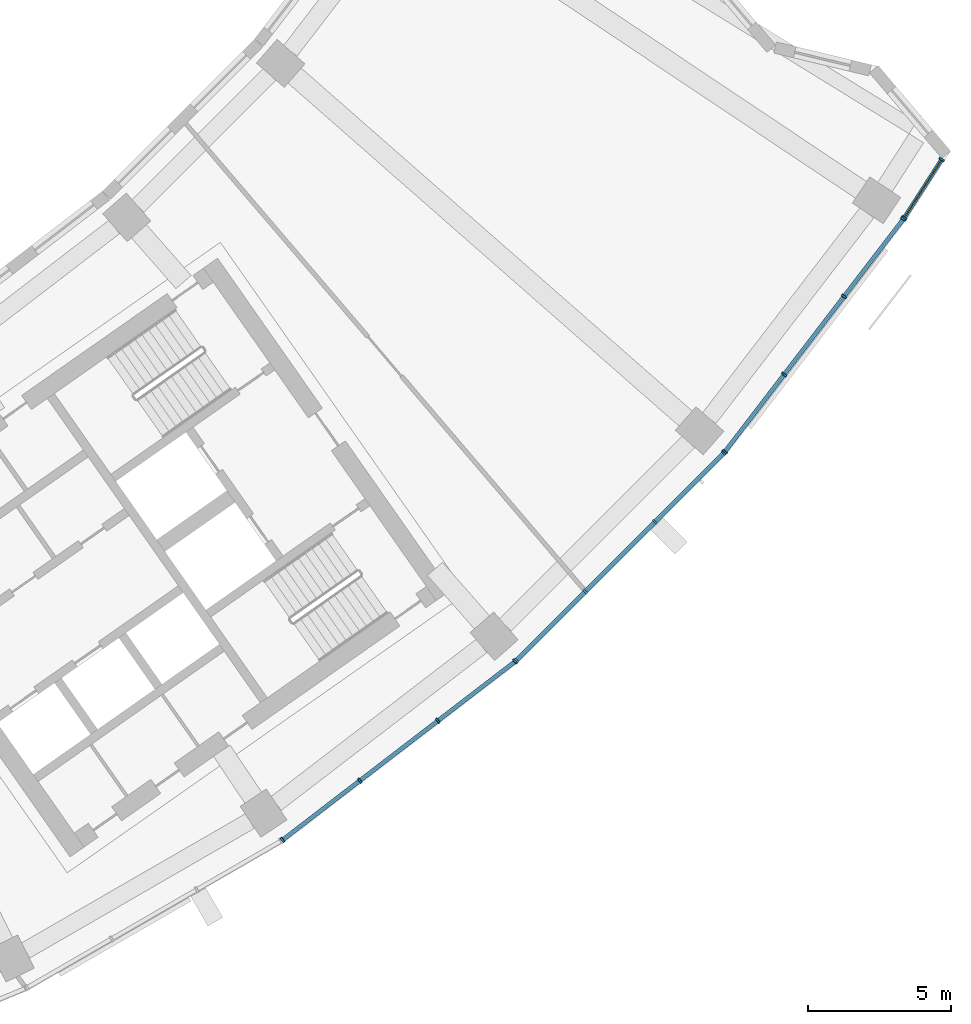
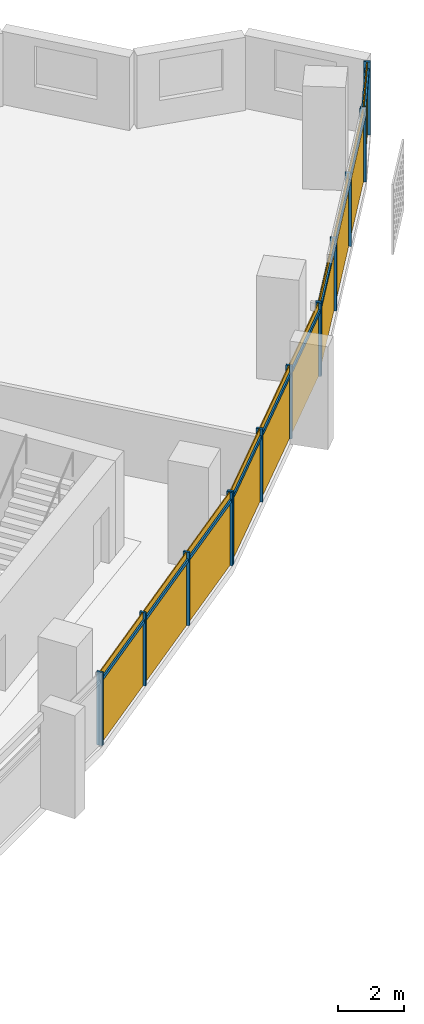
# One storey, part 21 of 27: 24 members, 4 curtain walls.
"""IFC4 building model written with IfcOpenShell, lengths in metres."""

from ifc_helpers import new_model, si_unit, direction, frame, origin, origin_2d, place, context, subcontext, project, spatial, rectangle, extrude, material, material_profile, profile_set, type_object, element, aggregate, save


model = new_model("IFC4")

# Units and contexts
model_context = context("Model", 3, precision=1e-05, world=origin(), true_north=direction((0.0, 1.0)))
body_context = subcontext(model_context, "Body", "Model", "MODEL_VIEW")
ifc_project = project(units=[si_unit("LENGTHUNIT", "METRE"), si_unit("AREAUNIT", "SQUARE_METRE"), si_unit("VOLUMEUNIT", "CUBIC_METRE"), si_unit("PLANEANGLEUNIT", "RADIAN"), si_unit("MASSUNIT", "GRAM", prefix="KILO")], contexts=[model_context])

# Member
ifc_material = material(Name="Aluminium 6063-T6 anodised", Category="aluminium")
ifc_material_profile_1 = material_profile(ifc_material, rectangle(XDim=0.199951171875, YDim=0.070068359375, at=origin_2d()))
ifc_profile_set_1 = profile_set([ifc_material_profile_1], Name="Aluminium 6063-T6 anodised")
member_type_1 = type_object("IfcMemberType", Name="Mullion 70 x 200 aluminium", PredefinedType="MULLION", material=ifc_profile_set_1)
site_placement = place(None, origin())
building_placement = place(site_placement, origin())
storey_placement = place(building_placement, frame((0.0, 0.0, 175.89990234375)))
member_1_placement = place(storey_placement, frame((43.85693359375, -65.58544921875, 0.0), z_axis=(0.0, 0.0, 1.0), x_axis=(-0.608761429009, 0.793353340291, 0.0)))
member_1 = element("IfcMember", 1, at=member_1_placement, type_object=member_type_1, Name="e-cw1-L41-out12/M00", PredefinedType="MULLION", context=body_context, shape_type="SweptSolid", body=[
    extrude(rectangle(XDim=0.199951171875, YDim=0.070068359375, at=origin_2d()), origin(), (0.0, 0.0, 1.0), 2.7001953125),
])

member_2_placement = place(storey_placement, frame((46.56201171875, -63.509765625, 0.0), z_axis=(0.0, 0.0, 1.0), x_axis=(-0.608761429009, 0.793353340291, 0.0)))
member_2 = element("IfcMember", 2, at=member_2_placement, type_object=member_type_1, Name="e-cw1-L41-out12/M01", PredefinedType="MULLION", context=body_context, shape_type="SweptSolid", body=[
    extrude(rectangle(XDim=0.199951171875, YDim=0.070068359375, at=origin_2d()), origin(), (0.0, 0.0, 1.0), 2.7001953125),
])

member_3_placement = place(storey_placement, frame((49.294677734375, -61.412841796875, 0.0), z_axis=(0.0, 0.0, 1.0), x_axis=(-0.608761429009, 0.793353340291, 0.0)))
member_3 = element("IfcMember", 3, at=member_3_placement, type_object=member_type_1, Name="e-cw1-L41-out12/M02", PredefinedType="MULLION", context=body_context, shape_type="SweptSolid", body=[
    extrude(rectangle(XDim=0.199951171875, YDim=0.070068359375, at=origin_2d()), origin(), (0.0, 0.0, 1.0), 2.7001953125),
])

member_4_placement = place(storey_placement, frame((51.999755859375, -59.33740234375, 0.0), z_axis=(0.0, 0.0, 1.0), x_axis=(-0.608761429009, 0.793353340291, 0.0)))
member_4 = element("IfcMember", 4, at=member_4_placement, type_object=member_type_1, Name="e-cw1-L41-out12/M03", PredefinedType="MULLION", context=body_context, shape_type="SweptSolid", body=[
    extrude(rectangle(XDim=0.199951171875, YDim=0.070068359375, at=origin_2d()), origin(), (0.0, 0.0, 1.0), 2.7001953125),
])

member_5_placement = place(storey_placement, frame((52.042236328125, -59.2998046875, 0.0), z_axis=(0.0, 0.0, 1.0), x_axis=(-0.707106781187, 0.707106781187, 0.0)))
member_5 = element("IfcMember", 5, at=member_5_placement, type_object=member_type_1, Name="e-cw1-L41-out13/M00", PredefinedType="MULLION", context=body_context, shape_type="SweptSolid", body=[
    extrude(rectangle(XDim=0.199951171875, YDim=0.070068359375, at=origin_2d()), origin(), (0.0, 0.0, 1.0), 2.7001953125),
])

member_6_placement = place(storey_placement, frame((54.453369140625, -56.888916015625, 0.0), z_axis=(0.0, 0.0, 1.0), x_axis=(-0.707106781187, 0.707106781187, 0.0)))
member_6 = element("IfcMember", 6, at=member_6_placement, type_object=member_type_1, Name="e-cw1-L41-out13/M01", PredefinedType="MULLION", context=body_context, shape_type="SweptSolid", body=[
    extrude(rectangle(XDim=0.199951171875, YDim=0.070068359375, at=origin_2d()), origin(), (0.0, 0.0, 1.0), 2.7001953125),
])

member_7_placement = place(storey_placement, frame((56.888916015625, -54.453369140625, 0.0), z_axis=(0.0, 0.0, 1.0), x_axis=(-0.707106781187, 0.707106781187, 0.0)))
member_7 = element("IfcMember", 7, at=member_7_placement, type_object=member_type_1, Name="e-cw1-L41-out13/M02", PredefinedType="MULLION", context=body_context, shape_type="SweptSolid", body=[
    extrude(rectangle(XDim=0.199951171875, YDim=0.070068359375, at=origin_2d()), origin(), (0.0, 0.0, 1.0), 2.7001953125),
])

member_8_placement = place(storey_placement, frame((59.2998046875, -52.042236328125, 0.0), z_axis=(0.0, 0.0, 1.0), x_axis=(-0.707106781187, 0.707106781187, 0.0)))
member_8 = element("IfcMember", 8, at=member_8_placement, type_object=member_type_1, Name="e-cw1-L41-out13/M03", PredefinedType="MULLION", context=body_context, shape_type="SweptSolid", body=[
    extrude(rectangle(XDim=0.199951171875, YDim=0.070068359375, at=origin_2d()), origin(), (0.0, 0.0, 1.0), 2.7001953125),
])

member_9_placement = place(storey_placement, frame((59.33740234375, -51.999755859375, 0.0), z_axis=(0.0, 0.0, 1.0), x_axis=(-0.793353340291, 0.608761429009, 0.0)))
member_9 = element("IfcMember", 9, at=member_9_placement, type_object=member_type_1, Name="e-cw1-L41-out14/M00", PredefinedType="MULLION", context=body_context, shape_type="SweptSolid", body=[
    extrude(rectangle(XDim=0.199951171875, YDim=0.070068359375, at=origin_2d()), origin(), (0.0, 0.0, 1.0), 2.7001953125),
])

member_10_placement = place(storey_placement, frame((61.412841796875, -49.294677734375, 0.0), z_axis=(0.0, 0.0, 1.0), x_axis=(-0.793353340291, 0.608761429009, 0.0)))
member_10 = element("IfcMember", 10, at=member_10_placement, type_object=member_type_1, Name="e-cw1-L41-out14/M01", PredefinedType="MULLION", context=body_context, shape_type="SweptSolid", body=[
    extrude(rectangle(XDim=0.199951171875, YDim=0.070068359375, at=origin_2d()), origin(), (0.0, 0.0, 1.0), 2.7001953125),
])

member_11_placement = place(storey_placement, frame((63.509765625, -46.56201171875, 0.0), z_axis=(0.0, 0.0, 1.0), x_axis=(-0.793353340291, 0.608761429009, 0.0)))
member_11 = element("IfcMember", 11, at=member_11_placement, type_object=member_type_1, Name="e-cw1-L41-out14/M02", PredefinedType="MULLION", context=body_context, shape_type="SweptSolid", body=[
    extrude(rectangle(XDim=0.199951171875, YDim=0.070068359375, at=origin_2d()), origin(), (0.0, 0.0, 1.0), 2.7001953125),
])

member_12_placement = place(storey_placement, frame((65.58544921875, -43.85693359375, 0.0), z_axis=(0.0, 0.0, 1.0), x_axis=(-0.793353340291, 0.608761429009, 0.0)))
member_12 = element("IfcMember", 12, at=member_12_placement, type_object=member_type_1, Name="e-cw1-L41-out14/M03", PredefinedType="MULLION", context=body_context, shape_type="SweptSolid", body=[
    extrude(rectangle(XDim=0.199951171875, YDim=0.070068359375, at=origin_2d()), origin(), (0.0, 0.0, 1.0), 2.7001953125),
])

member_13_placement = place(storey_placement, frame((65.620849609375, -43.806640625, 0.0), z_axis=(0.0, 0.0, 1.0), x_axis=(-0.841438709964, 0.540352567658, 0.0)))
member_13 = element("IfcMember", 13, at=member_13_placement, type_object=member_type_1, Name="e-cw1-L41-out15/M00", PredefinedType="MULLION", context=body_context, shape_type="SweptSolid", body=[
    extrude(rectangle(XDim=0.199951171875, YDim=0.070068359375, at=origin_2d()), origin(), (0.0, 0.0, 1.0), 2.7001953125),
])

member_14_placement = place(storey_placement, frame((66.92822265625, -41.77099609375, 0.0), z_axis=(0.0, 0.0, 1.0), x_axis=(-0.841438709964, 0.540352567658, 0.0)))
member_14 = element("IfcMember", 14, at=member_14_placement, type_object=member_type_1, Name="e-cw1-L41-out15/M01", PredefinedType="MULLION", context=body_context, shape_type="SweptSolid", body=[
    extrude(rectangle(XDim=0.199951171875, YDim=0.070068359375, at=origin_2d()), origin(), (0.0, 0.0, 1.0), 2.7001953125),
])

ifc_material_profile_2 = material_profile(ifc_material, rectangle(XDim=0.139892578125, YDim=0.1201171875, at=origin_2d()))
ifc_profile_set_2 = profile_set([ifc_material_profile_2], Name="Aluminium 6063-T6 anodised")
member_type_2 = type_object("IfcMemberType", Name="Transom 120 x 140 aluminium", PredefinedType="USERDEFINED", material=ifc_profile_set_2)
member_15_placement = place(storey_placement, frame((43.884765625, -65.564208984375, 2.400146484375), z_axis=(0.793354486861, 0.608759934767, 0.0), x_axis=(-0.608759934767, 0.793354486861, 0.0)))
member_15 = element("IfcMember", 15, at=member_15_placement, type_object=member_type_2, Name="e-cw1-L41-out12/T00", ObjectType="TRANSOM", PredefinedType="USERDEFINED", context=body_context, shape_type="SweptSolid", body=[
    extrude(rectangle(XDim=0.139892578125, YDim=0.1201171875, at=origin_2d()), origin(), (0.0, 0.0, 1.0), 3.339599609375),
])

member_16_placement = place(storey_placement, frame((46.589599609375, -63.488525390625, 2.400146484375), z_axis=(0.793371081522, 0.608738307489, 0.0), x_axis=(-0.608738307489, 0.793371081522, 0.0)))
member_16 = element("IfcMember", 16, at=member_16_placement, type_object=member_type_2, Name="e-cw1-L41-out12/T01", ObjectType="TRANSOM", PredefinedType="USERDEFINED", context=body_context, shape_type="SweptSolid", body=[
    extrude(rectangle(XDim=0.139892578125, YDim=0.1201171875, at=origin_2d()), origin(), (0.0, 0.0, 1.0), 3.37451171875),
])

member_17_placement = place(storey_placement, frame((49.322509765625, -61.3916015625, 2.400146484375), z_axis=(0.793354486861, 0.608759934767, 0.0), x_axis=(-0.608759934767, 0.793354486861, 0.0)))
member_17 = element("IfcMember", 17, at=member_17_placement, type_object=member_type_2, Name="e-cw1-L41-out12/T02", ObjectType="TRANSOM", PredefinedType="USERDEFINED", context=body_context, shape_type="SweptSolid", body=[
    extrude(rectangle(XDim=0.139892578125, YDim=0.1201171875, at=origin_2d()), origin(), (0.0, 0.0, 1.0), 3.339599609375),
])

member_18_placement = place(storey_placement, frame((52.067138671875, -59.275146484375, 2.400146484375), z_axis=(0.707106781187, 0.707106781187, 0.0), x_axis=(-0.707106781187, 0.707106781187, 0.0)))
member_18 = element("IfcMember", 18, at=member_18_placement, type_object=member_type_2, Name="e-cw1-L41-out13/T00", ObjectType="TRANSOM", PredefinedType="USERDEFINED", context=body_context, shape_type="SweptSolid", body=[
    extrude(rectangle(XDim=0.139892578125, YDim=0.1201171875, at=origin_2d()), origin(), (0.0, 0.0, 1.0), 3.33935546875),
])

member_19_placement = place(storey_placement, frame((54.47802734375, -56.8642578125, 2.400146484375), z_axis=(0.707106781187, 0.707106781187, 0.0), x_axis=(-0.707106781187, 0.707106781187, 0.0)))
member_19 = element("IfcMember", 19, at=member_19_placement, type_object=member_type_2, Name="e-cw1-L41-out13/T01", ObjectType="TRANSOM", PredefinedType="USERDEFINED", context=body_context, shape_type="SweptSolid", body=[
    extrude(rectangle(XDim=0.139892578125, YDim=0.1201171875, at=origin_2d()), origin(), (0.0, 0.0, 1.0), 3.374755859375),
])

member_20_placement = place(storey_placement, frame((56.913818359375, -54.428466796875, 2.400146484375), z_axis=(0.707106781187, 0.707106781187, 0.0), x_axis=(-0.707106781187, 0.707106781187, 0.0)))
member_20 = element("IfcMember", 20, at=member_20_placement, type_object=member_type_2, Name="e-cw1-L41-out13/T02", ObjectType="TRANSOM", PredefinedType="USERDEFINED", context=body_context, shape_type="SweptSolid", body=[
    extrude(rectangle(XDim=0.139892578125, YDim=0.1201171875, at=origin_2d()), origin(), (0.0, 0.0, 1.0), 3.33935546875),
])

member_21_placement = place(storey_placement, frame((59.358642578125, -51.971923828125, 2.400146484375), z_axis=(0.608759934767, 0.793354486861, 0.0), x_axis=(-0.793354486861, 0.608759934767, 0.0)))
member_21 = element("IfcMember", 21, at=member_21_placement, type_object=member_type_2, Name="e-cw1-L41-out14/T00", ObjectType="TRANSOM", PredefinedType="USERDEFINED", context=body_context, shape_type="SweptSolid", body=[
    extrude(rectangle(XDim=0.139892578125, YDim=0.1201171875, at=origin_2d()), origin(), (0.0, 0.0, 1.0), 3.339599609375),
])

member_22_placement = place(storey_placement, frame((61.434326171875, -49.266845703125, 2.400146484375), z_axis=(0.608738307489, 0.793371081522, 0.0), x_axis=(-0.793371081522, 0.608738307489, 0.0)))
member_22 = element("IfcMember", 22, at=member_22_placement, type_object=member_type_2, Name="e-cw1-L41-out14/T01", ObjectType="TRANSOM", PredefinedType="USERDEFINED", context=body_context, shape_type="SweptSolid", body=[
    extrude(rectangle(XDim=0.139892578125, YDim=0.1201171875, at=origin_2d()), origin(), (0.0, 0.0, 1.0), 3.37451171875),
])

member_23_placement = place(storey_placement, frame((63.53125, -46.5341796875, 2.400146484375), z_axis=(0.608759934767, 0.793354486861, 0.0), x_axis=(-0.793354486861, 0.608759934767, 0.0)))
member_23 = element("IfcMember", 23, at=member_23_placement, type_object=member_type_2, Name="e-cw1-L41-out14/T02", ObjectType="TRANSOM", PredefinedType="USERDEFINED", context=body_context, shape_type="SweptSolid", body=[
    extrude(rectangle(XDim=0.139892578125, YDim=0.1201171875, at=origin_2d()), origin(), (0.0, 0.0, 1.0), 3.339599609375),
])

member_24_placement = place(storey_placement, frame((65.639892578125, -43.777099609375, 2.400146484375), z_axis=(0.540300546341, 0.841472114585, 0.0), x_axis=(-0.841472114585, 0.540300546341, 0.0)))
member_24 = element("IfcMember", 24, at=member_24_placement, type_object=member_type_2, Name="e-cw1-L41-out15/T00", ObjectType="TRANSOM", PredefinedType="USERDEFINED", context=body_context, shape_type="SweptSolid", body=[
    extrude(rectangle(XDim=0.139892578125, YDim=0.1201171875, at=origin_2d()), origin(), (0.0, 0.0, 1.0), 2.34912109375),
])

# Site, building, storey
site = spatial("IfcSite", under=ifc_project, at=site_placement, CompositionType="ELEMENT")
building = spatial("IfcBuilding", under=site, at=building_placement, Name="Qamariyya Broadcast Tower", CompositionType="ELEMENT")
storey = spatial("IfcBuildingStorey", under=building, at=storey_placement, Name="L41", CompositionType="ELEMENT", Elevation=175.89990234375)

# Curtain wall
curtain_wall_type = type_object("IfcCurtainWallType", Name="Unitised curtain wall, anodised aluminium", PredefinedType="NOTDEFINED", material=ifc_material)
curtain_wall_1_placement = place(storey_placement, origin())
curtain_wall_1 = element("IfcCurtainWall", 25, at=curtain_wall_1_placement, inside=storey, type_object=curtain_wall_type, Name="e-cw1-L41-out12", PredefinedType="NOTDEFINED", context=body_context, shape_type="SweptSolid", body=[
    extrude(rectangle(XDim=3.339599609375, YDim=0.031982421875, at=origin_2d()), frame((45.20947265625, -64.547607421875, 0.0), x_axis=(0.793351517557, 0.608763804434, 0.0)), (0.0, 0.0, 1.0), 2.340087890625),
    extrude(rectangle(XDim=3.339599609375, YDim=0.031982421875, at=origin_2d()), frame((45.20947265625, -64.547607421875, 2.460205078125), x_axis=(0.793351517557, 0.608763804434, 0.0)), (0.0, 0.0, 1.0), 0.239990234375),
    extrude(rectangle(XDim=3.37451171875, YDim=0.031982421875, at=origin_2d()), frame((47.92822265625, -62.46142578125, 0.0), x_axis=(0.793351517557, 0.608763804434, 0.0)), (0.0, 0.0, 1.0), 2.340087890625),
    extrude(rectangle(XDim=3.37451171875, YDim=0.031982421875, at=origin_2d()), frame((47.92822265625, -62.46142578125, 2.460205078125), x_axis=(0.793351517557, 0.608763804434, 0.0)), (0.0, 0.0, 1.0), 0.239990234375),
    extrude(rectangle(XDim=3.339599609375, YDim=0.031982421875, at=origin_2d()), frame((50.64697265625, -60.375, 0.0), x_axis=(0.793351517557, 0.608763804434, 0.0)), (0.0, 0.0, 1.0), 2.340087890625),
    extrude(rectangle(XDim=3.339599609375, YDim=0.031982421875, at=origin_2d()), frame((50.64697265625, -60.375, 2.460205078125), x_axis=(0.793351517557, 0.608763804434, 0.0)), (0.0, 0.0, 1.0), 0.239990234375),
])

aggregate(curtain_wall_1, [member_1, member_2, member_3, member_4, member_15, member_16, member_17])

curtain_wall_2_placement = place(storey_placement, origin())
curtain_wall_2 = element("IfcCurtainWall", 26, at=curtain_wall_2_placement, inside=storey, type_object=curtain_wall_type, Name="e-cw1-L41-out13", PredefinedType="NOTDEFINED", context=body_context, shape_type="SweptSolid", body=[
    extrude(rectangle(XDim=3.339599609375, YDim=0.031982421875, at=origin_2d()), frame((53.247802734375, -58.094482421875, 0.0), x_axis=(0.707106781187, 0.707106781187, 0.0)), (0.0, 0.0, 1.0), 2.340087890625),
    extrude(rectangle(XDim=3.339599609375, YDim=0.031982421875, at=origin_2d()), frame((53.247802734375, -58.094482421875, 2.460205078125), x_axis=(0.707106781187, 0.707106781187, 0.0)), (0.0, 0.0, 1.0), 0.239990234375),
    extrude(rectangle(XDim=3.37451171875, YDim=0.031982421875, at=origin_2d()), frame((55.671142578125, -55.671142578125, 0.0), x_axis=(0.707106781187, 0.707106781187, 0.0)), (0.0, 0.0, 1.0), 2.340087890625),
    extrude(rectangle(XDim=3.37451171875, YDim=0.031982421875, at=origin_2d()), frame((55.671142578125, -55.671142578125, 2.460205078125), x_axis=(0.707106781187, 0.707106781187, 0.0)), (0.0, 0.0, 1.0), 0.239990234375),
    extrude(rectangle(XDim=3.339599609375, YDim=0.031982421875, at=origin_2d()), frame((58.094482421875, -53.247802734375, 0.0), x_axis=(0.707106781187, 0.707106781187, 0.0)), (0.0, 0.0, 1.0), 2.340087890625),
    extrude(rectangle(XDim=3.339599609375, YDim=0.031982421875, at=origin_2d()), frame((58.094482421875, -53.247802734375, 2.460205078125), x_axis=(0.707106781187, 0.707106781187, 0.0)), (0.0, 0.0, 1.0), 0.239990234375),
])

aggregate(curtain_wall_2, [member_5, member_6, member_7, member_8, member_18, member_19, member_20])

curtain_wall_3_placement = place(storey_placement, origin())
curtain_wall_3 = element("IfcCurtainWall", 27, at=curtain_wall_3_placement, inside=storey, type_object=curtain_wall_type, Name="e-cw1-L41-out14", PredefinedType="NOTDEFINED", context=body_context, shape_type="SweptSolid", body=[
    extrude(rectangle(XDim=3.339599609375, YDim=0.031982421875, at=origin_2d()), frame((60.375, -50.64697265625, 0.0), x_axis=(0.608763804434, 0.793351517557, 0.0)), (0.0, 0.0, 1.0), 2.340087890625),
    extrude(rectangle(XDim=3.339599609375, YDim=0.031982421875, at=origin_2d()), frame((60.375, -50.64697265625, 2.460205078125), x_axis=(0.608763804434, 0.793351517557, 0.0)), (0.0, 0.0, 1.0), 0.239990234375),
    extrude(rectangle(XDim=3.37451171875, YDim=0.031982421875, at=origin_2d()), frame((62.46142578125, -47.92822265625, 0.0), x_axis=(0.608763804434, 0.793351517557, 0.0)), (0.0, 0.0, 1.0), 2.340087890625),
    extrude(rectangle(XDim=3.37451171875, YDim=0.031982421875, at=origin_2d()), frame((62.46142578125, -47.92822265625, 2.460205078125), x_axis=(0.608763804434, 0.793351517557, 0.0)), (0.0, 0.0, 1.0), 0.239990234375),
    extrude(rectangle(XDim=3.339599609375, YDim=0.031982421875, at=origin_2d()), frame((64.547607421875, -45.20947265625, 0.0), x_axis=(0.608763804434, 0.793351517557, 0.0)), (0.0, 0.0, 1.0), 2.340087890625),
    extrude(rectangle(XDim=3.339599609375, YDim=0.031982421875, at=origin_2d()), frame((64.547607421875, -45.20947265625, 2.460205078125), x_axis=(0.608763804434, 0.793351517557, 0.0)), (0.0, 0.0, 1.0), 0.239990234375),
])

aggregate(curtain_wall_3, [member_9, member_10, member_11, member_12, member_21, member_22, member_23])

curtain_wall_4_placement = place(storey_placement, origin())
curtain_wall_4 = element("IfcCurtainWall", 28, at=curtain_wall_4_placement, inside=storey, type_object=curtain_wall_type, Name="e-cw1-L41-out15", PredefinedType="NOTDEFINED", context=body_context, shape_type="SweptSolid", body=[
    extrude(rectangle(XDim=2.34912109375, YDim=0.031982421875, at=origin_2d()), frame((66.2744140625, -42.78857421875, 0.0), x_axis=(0.540336158477, 0.841449247336, 0.0)), (0.0, 0.0, 1.0), 2.340087890625),
    extrude(rectangle(XDim=2.34912109375, YDim=0.031982421875, at=origin_2d()), frame((66.2744140625, -42.78857421875, 2.460205078125), x_axis=(0.540336158477, 0.841449247336, 0.0)), (0.0, 0.0, 1.0), 0.239990234375),
])

aggregate(curtain_wall_4, [member_13, member_14, member_24])

save(model, "model.ifc")
